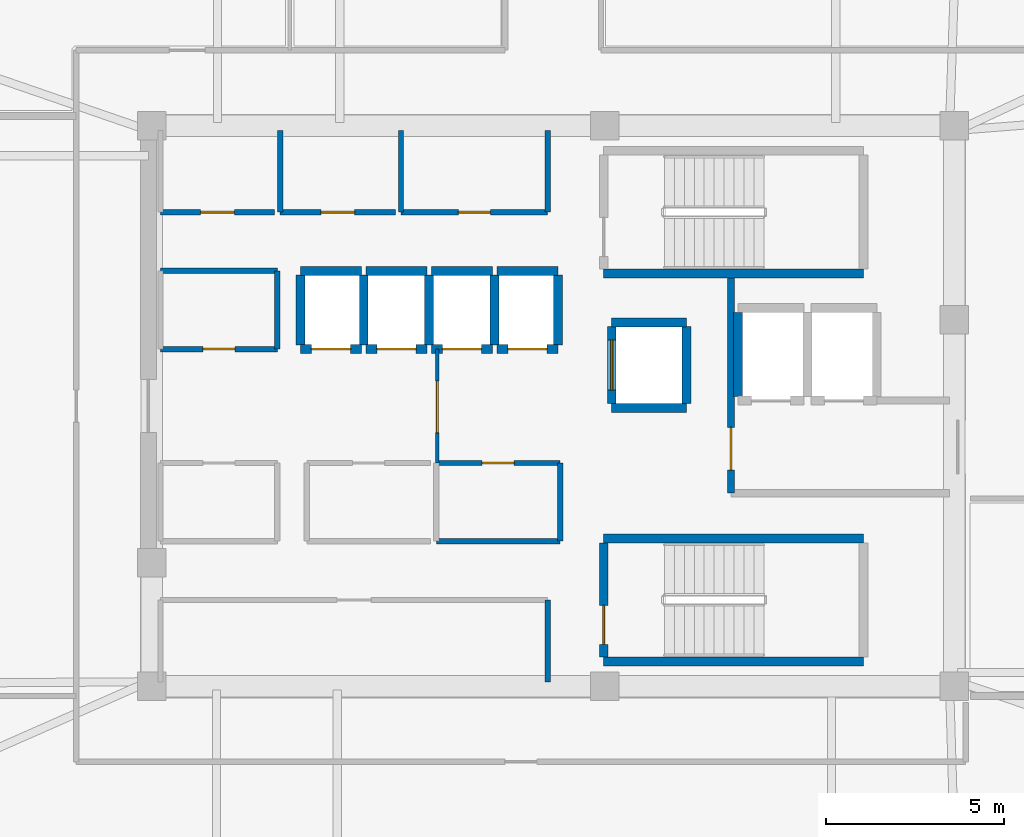
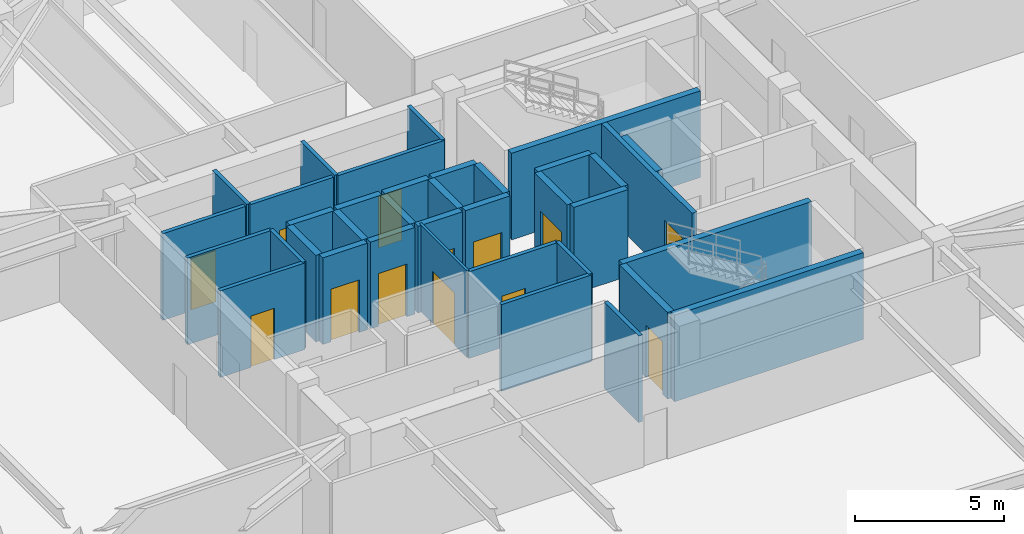
# One storey, part 8 of 13: 37 walls, 13 doors, 13 openings.
"""IFC4 building model written with IfcOpenShell, lengths in metres."""

from ifc_helpers import new_model, si_unit, direction, frame, frame_2d, origin, place, context, subcontext, project, spatial, rectangle, extrude, material, layer, layer_set, type_object, element, fill, save


model = new_model("IFC4")

# Units and contexts
model_context = context("Model", 3, precision=1e-05, world=origin(), true_north=direction((0.0, 1.0)))
body_context = subcontext(model_context, "Body", "Model", "MODEL_VIEW")
ifc_project = project(units=[si_unit("LENGTHUNIT", "METRE"), si_unit("AREAUNIT", "SQUARE_METRE"), si_unit("VOLUMEUNIT", "CUBIC_METRE"), si_unit("PLANEANGLEUNIT", "RADIAN"), si_unit("MASSUNIT", "GRAM", prefix="KILO")], contexts=[model_context])

# Site, building, storey
site_placement = place(None, origin())
site = spatial("IfcSite", under=ifc_project, at=site_placement, CompositionType="ELEMENT")
building_placement = place(site_placement, origin())
building = spatial("IfcBuilding", under=site, at=building_placement, Name="Zulverin Broadcast Headquarters", CompositionType="ELEMENT")
storey_placement = place(building_placement, frame((0.0, 0.0, 278.199951171875)))
storey = spatial("IfcBuildingStorey", under=building, at=storey_placement, Name="L71", CompositionType="ELEMENT", Elevation=278.199951171875)

# Wall, opening, door
ifc_material_1 = material(Name="Concrete C40/50", Category="concrete")
ifc_layer_1 = layer(ifc_material_1, 0.199951171875, Name="Concrete C40/50", Category="concrete")
ifc_layer_set_1 = layer_set([ifc_layer_1], Name="Concrete C40/50")
wall_type_1 = type_object("IfcWallType", Name="WL-FFL-200", PredefinedType="SOLIDWALL", material=ifc_layer_set_1)
wall_1_placement = place(storey_placement, frame((42.0, 22.75, 0.0), z_axis=(0.0, 0.0, 1.0), x_axis=(0.0, 1.0, 0.0)))
wall_1 = element("IfcWall", 1, at=wall_1_placement, inside=storey, type_object=wall_type_1, Name="L71 Firefighting Lift Lobby West Wall", PredefinedType="SOLIDWALL", context=body_context, shape_type="SweptSolid", body=[
    extrude(rectangle(XDim=6.050048828125, YDim=0.199951171875, at=frame_2d((3.02490234375, 0.0))), origin(), (0.0, 0.0, 1.0), 3.5400390625),
])
opening_1_placement = place(wall_1_placement, frame((0.64990234375, 0.0, 0.0)))
opening_1 = element("IfcOpeningElement", 2, at=opening_1_placement, cuts=wall_1, Name="Opening D-L71-FFLW", PredefinedType="OPENING", context=body_context, shape_type="SweptSolid", body=[
    extrude(rectangle(XDim=1.199951171875, YDim=2.14990234375, at=frame_2d((0.60009765625, 1.074951171875))), frame((0.0, 0.10986328125, 0.0), z_axis=(0.0, -1.0, 0.0), x_axis=(1.0, 0.0, 0.0)), (0.0, 0.0, 1.0), 0.219970703125),
])
ifc_material_2 = material(Name="Fire-rated steel leaf and frame", Category="steel")
door_type_1 = type_object("IfcDoorType", Name="DR-FFL-1200", OperationType="SINGLE_SWING_RIGHT", PredefinedType="DOOR", material=ifc_material_2)
door_1_placement = place(opening_1_placement, origin())
door_1 = element("IfcDoor", 3, at=door_1_placement, inside=storey, type_object=door_type_1, Name="L71 Firefighting Lift Lobby Door", OperationType="SINGLE_SWING_RIGHT", OverallHeight=2.14990234375, OverallWidth=1.199951171875, PredefinedType="DOOR", context=body_context, shape_type="SweptSolid", body=[
    extrude(rectangle(XDim=1.199951171875, YDim=2.14990234375, at=frame_2d((0.60009765625, 1.074951171875))), frame((0.0, 0.02490234375, 0.0), z_axis=(0.0, -1.0, 0.0), x_axis=(1.0, 0.0, 0.0)), (0.0, 0.0, 1.0), 0.050048828125),
])
fill(opening_1, door_1)

ifc_material_3 = material(Name="Fire-rated acoustic laminated glass screen", Category="glass")
ifc_layer_2 = layer(ifc_material_3, 0.10009765625, Name="Fire-rated acoustic laminated glass screen", Category="glass")
ifc_layer_set_2 = layer_set([ifc_layer_2], Name="Fire-rated acoustic laminated glass screen")
wall_type_2 = type_object("IfcWallType", Name="WL-GLAZ-100", PredefinedType="PARTITIONING", material=ifc_layer_set_2)
wall_2_placement = place(storey_placement, frame((33.75, 23.60009765625, 0.0), z_axis=(0.0, 0.0, 1.0), x_axis=(0.0, 1.0, 0.0)))
wall_2 = element("IfcWall", 4, at=wall_2_placement, inside=storey, type_object=wall_type_2, Name="L71 Core Lobby Acoustic Screen", PredefinedType="PARTITIONING", context=body_context, shape_type="SweptSolid", body=[
    extrude(rectangle(XDim=3.199951171875, YDim=0.10009765625, at=frame_2d((1.60009765625, 0.0))), origin(), (0.0, 0.0, 1.0), 3.5400390625),
])
opening_2_placement = place(wall_2_placement, frame((0.85009765625, 0.0, 0.0)))
opening_2 = element("IfcOpeningElement", 5, at=opening_2_placement, cuts=wall_2, Name="Opening D-L71-CL1", PredefinedType="OPENING", context=body_context, shape_type="SweptSolid", body=[
    extrude(rectangle(XDim=1.449951171875, YDim=2.1201171875, at=frame_2d((0.72509765625, 1.06005859375))), frame((0.0, 0.06005859375, 0.0), z_axis=(0.0, -1.0, 0.0), x_axis=(1.0, 0.0, 0.0)), (0.0, 0.0, 1.0), 0.1201171875),
])
ifc_material_4 = material(Name="Fire-rated acoustic glazed double leaf", Category="glass")
door_type_2 = type_object("IfcDoorType", Name="DR-GLZ-1450", OperationType="DOUBLE_DOOR_SINGLE_SWING", PredefinedType="DOOR", material=ifc_material_4)
door_2_placement = place(opening_2_placement, origin())
door_2 = element("IfcDoor", 6, at=door_2_placement, inside=storey, type_object=door_type_2, Name="L71 Core Lobby Vestibule Door", OperationType="DOUBLE_DOOR_SINGLE_SWING", OverallHeight=2.1201171875, OverallWidth=1.449951171875, PredefinedType="DOOR", context=body_context, shape_type="SweptSolid", body=[
    extrude(rectangle(XDim=1.449951171875, YDim=2.1201171875, at=frame_2d((0.72509765625, 1.06005859375))), frame((0.0, 0.02490234375, 0.0), z_axis=(0.0, -1.0, 0.0), x_axis=(1.0, 0.0, 0.0)), (0.0, 0.0, 1.0), 0.050048828125),
])
fill(opening_2, door_2)

ifc_material_5 = material(Name="Fire-rated gypsum stud partition", Category="gypsum")
ifc_layer_3 = layer(ifc_material_5, 0.14990234375, Name="Fire-rated gypsum stud partition", Category="gypsum")
ifc_layer_set_3 = layer_set([ifc_layer_3], Name="Fire-rated gypsum stud partition")
wall_type_3 = type_object("IfcWallType", Name="WL-PART-150", PredefinedType="PARTITIONING", material=ifc_layer_set_3)
wall_3_placement = place(storey_placement, frame((25.969970703125, 30.64990234375, 0.0), z_axis=(0.0, 0.0, 1.0), x_axis=(1.0, 0.0, 0.0)))
wall_3 = element("IfcWall", 7, at=wall_3_placement, inside=storey, type_object=wall_type_3, Name="L71 Core Accessible WC Front Wall", PredefinedType="PARTITIONING", context=body_context, shape_type="SweptSolid", body=[
    extrude(rectangle(XDim=3.199951171875, YDim=0.14990234375, at=frame_2d((1.60009765625, 0.0))), origin(), (0.0, 0.0, 1.0), 3.5400390625),
])
opening_3_placement = place(wall_3_placement, frame((1.125, 0.0, 0.0)))
opening_3 = element("IfcOpeningElement", 8, at=opening_3_placement, cuts=wall_3, Name="Opening D-L71-NC1", PredefinedType="OPENING", context=body_context, shape_type="SweptSolid", body=[
    extrude(rectangle(XDim=0.949951171875, YDim=2.10009765625, at=frame_2d((0.47509765625, 1.050048828125))), frame((0.0, 0.0849609375, 0.0), z_axis=(0.0, -1.0, 0.0), x_axis=(1.0, 0.0, 0.0)), (0.0, 0.0, 1.0), 0.169921875),
])
ifc_material_6 = material(Name="Fire-rated moisture-resistant laminate leaf", Category="wood")
door_type_3 = type_object("IfcDoorType", Name="DR-WC-950", OperationType="SINGLE_SWING_LEFT", PredefinedType="DOOR", material=ifc_material_6)
door_3_placement = place(opening_3_placement, origin())
door_3 = element("IfcDoor", 9, at=door_3_placement, inside=storey, type_object=door_type_3, Name="L71 Accessible WC Door", OperationType="SINGLE_SWING_LEFT", OverallHeight=2.10009765625, OverallWidth=0.949951171875, PredefinedType="DOOR", context=body_context, shape_type="SweptSolid", body=[
    extrude(rectangle(XDim=0.949951171875, YDim=2.10009765625, at=frame_2d((0.47509765625, 1.050048828125))), frame((0.0, 0.02490234375, 0.0), z_axis=(0.0, -1.0, 0.0), x_axis=(1.0, 0.0, 0.0)), (0.0, 0.0, 1.0), 0.050048828125),
])
fill(opening_3, door_3)

wall_4_placement = place(storey_placement, frame((29.330078125, 30.64990234375, 0.0), z_axis=(0.0, 0.0, 1.0), x_axis=(1.0, 0.0, 0.0)))
wall_4 = element("IfcWall", 10, at=wall_4_placement, inside=storey, type_object=wall_type_3, Name="L71 Core Male WC Front Wall", PredefinedType="PARTITIONING", context=body_context, shape_type="SweptSolid", body=[
    extrude(rectangle(XDim=3.239990234375, YDim=0.14990234375, at=frame_2d((1.6201171875, 0.0))), origin(), (0.0, 0.0, 1.0), 3.5400390625),
])
opening_4_placement = place(wall_4_placement, frame((1.14501953125, 0.0, 0.0)))
opening_4 = element("IfcOpeningElement", 11, at=opening_4_placement, cuts=wall_4, Name="Opening D-L71-NC2", PredefinedType="OPENING", context=body_context, shape_type="SweptSolid", body=[
    extrude(rectangle(XDim=0.949951171875, YDim=2.10009765625, at=frame_2d((0.47509765625, 1.050048828125))), frame((0.0, 0.0849609375, 0.0), z_axis=(0.0, -1.0, 0.0), x_axis=(1.0, 0.0, 0.0)), (0.0, 0.0, 1.0), 0.169921875),
])
door_4_placement = place(opening_4_placement, origin())
door_4 = element("IfcDoor", 12, at=door_4_placement, inside=storey, type_object=door_type_3, Name="L71 Male WC Door", OperationType="SINGLE_SWING_RIGHT", OverallHeight=2.10009765625, OverallWidth=0.949951171875, PredefinedType="DOOR", context=body_context, shape_type="SweptSolid", body=[
    extrude(rectangle(XDim=0.949951171875, YDim=2.10009765625, at=frame_2d((0.47509765625, 1.050048828125))), frame((0.0, 0.02490234375, 0.0), z_axis=(0.0, -1.0, 0.0), x_axis=(1.0, 0.0, 0.0)), (0.0, 0.0, 1.0), 0.050048828125),
])
fill(opening_4, door_4)

# Wall
wall_5_placement = place(storey_placement, frame((29.330078125, 30.64990234375, 0.0), z_axis=(0.0, 0.0, 1.0), x_axis=(0.0, 1.0, 0.0)))
element("IfcWall", 13, at=wall_5_placement, inside=storey, type_object=wall_type_3, Name="L71 Core Male WC West Wall", PredefinedType="PARTITIONING", context=body_context, shape_type="SweptSolid", body=[
    extrude(rectangle(XDim=2.300048828125, YDim=0.14990234375, at=frame_2d((1.14990234375, 0.0))), origin(), (0.0, 0.0, 1.0), 3.5400390625),
])

# Wall, opening, door
wall_6_placement = place(storey_placement, frame((32.72998046875, 30.64990234375, 0.0), z_axis=(0.0, 0.0, 1.0), x_axis=(1.0, 0.0, 0.0)))
wall_6 = element("IfcWall", 14, at=wall_6_placement, inside=storey, type_object=wall_type_3, Name="L71 Core Electrical Switch Riser Front Wall", PredefinedType="PARTITIONING", context=body_context, shape_type="SweptSolid", body=[
    extrude(rectangle(XDim=4.1201171875, YDim=0.14990234375, at=frame_2d((2.06005859375, 0.0))), origin(), (0.0, 0.0, 1.0), 3.5400390625),
])
opening_5_placement = place(wall_6_placement, frame((1.610107421875, 0.0, 0.0)))
opening_5 = element("IfcOpeningElement", 15, at=opening_5_placement, cuts=wall_6, Name="Opening D-L71-NC3", PredefinedType="OPENING", context=body_context, shape_type="SweptSolid", body=[
    extrude(rectangle(XDim=0.89990234375, YDim=2.10009765625, at=frame_2d((0.449951171875, 1.050048828125))), frame((0.0, 0.0849609375, 0.0), z_axis=(0.0, -1.0, 0.0), x_axis=(1.0, 0.0, 0.0)), (0.0, 0.0, 1.0), 0.169921875),
])
ifc_material_7 = material(Name="Powder-coated steel access leaf", Category="steel")
door_type_4 = type_object("IfcDoorType", Name="DR-RISER-900", OperationType="SINGLE_SWING_LEFT", PredefinedType="DOOR", material=ifc_material_7)
door_5_placement = place(opening_5_placement, origin())
door_5 = element("IfcDoor", 16, at=door_5_placement, inside=storey, type_object=door_type_4, Name="L71 Electrical Switch Riser Door", OperationType="SINGLE_SWING_LEFT", OverallHeight=2.10009765625, OverallWidth=0.89990234375, PredefinedType="DOOR", context=body_context, shape_type="SweptSolid", body=[
    extrude(rectangle(XDim=0.89990234375, YDim=2.10009765625, at=frame_2d((0.449951171875, 1.050048828125))), frame((0.0, 0.02490234375, 0.0), z_axis=(0.0, -1.0, 0.0), x_axis=(1.0, 0.0, 0.0)), (0.0, 0.0, 1.0), 0.050048828125),
])
fill(opening_5, door_5)

# Walls
for number, where, z_axis, x_axis, name in (
    (17, (32.72998046875, 30.64990234375, 0.0), (0.0, 0.0, 1.0), (0.0, 1.0, 0.0), "L71 Core Electrical Switch Riser West Wall"),
    (18, (36.85009765625, 30.64990234375, 0.0), (0.0, 0.0, 1.0), (0.0, 1.0, 0.0), "L71 Core Electrical Switch Riser East Wall"),
    (19, (36.85009765625, 17.449951171875, 0.0), (0.0, 0.0, 1.0), (0.0, 1.0, 0.0), "L71 Core Female WC & Facilities Room East Wall"),
):
    element("IfcWall", number, at=place(storey_placement, frame(where, z_axis=z_axis, x_axis=x_axis)), inside=storey, type_object=wall_type_3, Name=name, PredefinedType="PARTITIONING", context=body_context, shape_type="SweptSolid", body=[
        extrude(rectangle(XDim=2.300048828125, YDim=0.14990234375, at=frame_2d((1.14990234375, 0.0))), origin(), (0.0, 0.0, 1.0), 3.5400390625),
    ])

# Wall, opening, door
wall_7_placement = place(storey_placement, frame((25.969970703125, 26.800048828125, 0.0), z_axis=(0.0, 0.0, 1.0), x_axis=(1.0, 0.0, 0.0)))
wall_7 = element("IfcWall", 20, at=wall_7_placement, inside=storey, type_object=wall_type_3, Name="L71 Core UPS Battery Store S Wall", PredefinedType="PARTITIONING", context=body_context, shape_type="SweptSolid", body=[
    extrude(rectangle(XDim=3.280029296875, YDim=0.14990234375, at=frame_2d((1.64013671875, 0.0))), origin(), (0.0, 0.0, 1.0), 3.5400390625),
])
opening_6_placement = place(wall_7_placement, frame((1.18994140625, 0.0, 0.0)))
opening_6 = element("IfcOpeningElement", 21, at=opening_6_placement, cuts=wall_7, Name="Opening D-L71-RCLN", PredefinedType="OPENING", context=body_context, shape_type="SweptSolid", body=[
    extrude(rectangle(XDim=0.89990234375, YDim=2.10009765625, at=frame_2d((0.449951171875, 1.050048828125))), frame((0.0, 0.0849609375, 0.0), z_axis=(0.0, -1.0, 0.0), x_axis=(1.0, 0.0, 0.0)), (0.0, 0.0, 1.0), 0.169921875),
])
door_6_placement = place(opening_6_placement, origin())
door_6 = element("IfcDoor", 22, at=door_6_placement, inside=storey, type_object=door_type_4, Name="L71 Core UPS Battery Store Door", OperationType="SINGLE_SWING_LEFT", OverallHeight=2.10009765625, OverallWidth=0.89990234375, PredefinedType="DOOR", context=body_context, shape_type="SweptSolid", body=[
    extrude(rectangle(XDim=0.89990234375, YDim=2.10009765625, at=frame_2d((0.449951171875, 1.050048828125))), frame((0.0, 0.02490234375, 0.0), z_axis=(0.0, -1.0, 0.0), x_axis=(1.0, 0.0, 0.0)), (0.0, 0.0, 1.0), 0.050048828125),
])
fill(opening_6, door_6)

# Walls
wall_8_placement = place(storey_placement, frame((25.969970703125, 29.0, 0.0), z_axis=(0.0, 0.0, 1.0), x_axis=(1.0, 0.0, 0.0)))
element("IfcWall", 23, at=wall_8_placement, inside=storey, type_object=wall_type_3, Name="L71 Core UPS Battery Store N Wall", PredefinedType="PARTITIONING", context=body_context, shape_type="SweptSolid", body=[
    extrude(rectangle(XDim=3.280029296875, YDim=0.14990234375, at=frame_2d((1.64013671875, 0.0))), origin(), (0.0, 0.0, 1.0), 3.5400390625),
])
wall_9_placement = place(storey_placement, frame((29.25, 26.800048828125, 0.0), z_axis=(0.0, 0.0, 1.0), x_axis=(0.0, 1.0, 0.0)))
element("IfcWall", 24, at=wall_9_placement, inside=storey, type_object=wall_type_3, Name="L71 Core UPS Battery Store E Wall", PredefinedType="PARTITIONING", context=body_context, shape_type="SweptSolid", body=[
    extrude(rectangle(XDim=2.199951171875, YDim=0.14990234375, at=frame_2d((1.10009765625, 0.0))), origin(), (0.0, 0.0, 1.0), 3.5400390625),
])
wall_10_placement = place(storey_placement, frame((33.719970703125, 21.39990234375, 0.0), z_axis=(0.0, 0.0, 1.0), x_axis=(1.0, 0.0, 0.0)))
element("IfcWall", 25, at=wall_10_placement, inside=storey, type_object=wall_type_3, Name="L71 Executive Floor Pantry Store S Wall", PredefinedType="PARTITIONING", context=body_context, shape_type="SweptSolid", body=[
    extrude(rectangle(XDim=3.47998046875, YDim=0.14990234375, at=frame_2d((1.739990234375, 0.0))), origin(), (0.0, 0.0, 1.0), 3.5400390625),
])

# Wall, opening, door
wall_11_placement = place(storey_placement, frame((33.719970703125, 23.60009765625, 0.0), z_axis=(0.0, 0.0, 1.0), x_axis=(1.0, 0.0, 0.0)))
wall_11 = element("IfcWall", 26, at=wall_11_placement, inside=storey, type_object=wall_type_3, Name="L71 Executive Floor Pantry Store N Wall", PredefinedType="PARTITIONING", context=body_context, shape_type="SweptSolid", body=[
    extrude(rectangle(XDim=3.47998046875, YDim=0.14990234375, at=frame_2d((1.739990234375, 0.0))), origin(), (0.0, 0.0, 1.0), 3.5400390625),
])
opening_7_placement = place(wall_11_placement, frame((1.2900390625, 0.0, 0.0)))
opening_7 = element("IfcOpeningElement", 27, at=opening_7_placement, cuts=wall_11, Name="Opening D-L71-RM2", PredefinedType="OPENING", context=body_context, shape_type="SweptSolid", body=[
    extrude(rectangle(XDim=0.89990234375, YDim=2.10009765625, at=frame_2d((0.449951171875, 1.050048828125))), frame((0.0, 0.0849609375, 0.0), z_axis=(0.0, -1.0, 0.0), x_axis=(1.0, 0.0, 0.0)), (0.0, 0.0, 1.0), 0.169921875),
])
door_7_placement = place(opening_7_placement, origin())
door_7 = element("IfcDoor", 28, at=door_7_placement, inside=storey, type_object=door_type_4, Name="L71 Executive Floor Pantry Store Door", OperationType="SINGLE_SWING_RIGHT", OverallHeight=2.10009765625, OverallWidth=0.89990234375, PredefinedType="DOOR", context=body_context, shape_type="SweptSolid", body=[
    extrude(rectangle(XDim=0.89990234375, YDim=2.10009765625, at=frame_2d((0.449951171875, 1.050048828125))), frame((0.0, 0.02490234375, 0.0), z_axis=(0.0, -1.0, 0.0), x_axis=(1.0, 0.0, 0.0)), (0.0, 0.0, 1.0), 0.050048828125),
])
fill(opening_7, door_7)

# Walls
wall_12_placement = place(storey_placement, frame((37.199951171875, 21.39990234375, 0.0), z_axis=(0.0, 0.0, 1.0), x_axis=(0.0, 1.0, 0.0)))
element("IfcWall", 29, at=wall_12_placement, inside=storey, type_object=wall_type_3, Name="L71 Executive Floor Pantry Store E Wall", PredefinedType="PARTITIONING", context=body_context, shape_type="SweptSolid", body=[
    extrude(rectangle(XDim=2.2001953125, YDim=0.14990234375, at=frame_2d((1.10009765625, 0.0))), origin(), (0.0, 0.0, 1.0), 3.5400390625),
])
ifc_material_8 = material(Name="Concrete C50/60", Category="concrete")
ifc_layer_4 = layer(ifc_material_8, 0.25, Name="Concrete C50/60", Category="concrete")
ifc_layer_set_4 = layer_set([ifc_layer_4], Name="Concrete C50/60")
wall_type_4 = type_object("IfcWallType", Name="WL-SHAFT-250", PredefinedType="SHEAR", material=ifc_layer_set_4)
for number, where, z_axis, x_axis, name in (
    (30, (38.425048828125, 28.925048828125, 0.0), (0.0, 0.0, 1.0), (1.0, 0.0, 0.0), "L71 ST-1 Enclosure Wall S"),
    (31, (38.425048828125, 18.02490234375, 0.0), (0.0, 0.0, 1.0), (1.0, 0.0, 0.0), "L71 ST-2 Enclosure Wall S"),
    (32, (38.425048828125, 21.47509765625, 0.0), (0.0, 0.0, 1.0), (1.0, 0.0, 0.0), "L71 ST-2 Enclosure Wall N"),
):
    element("IfcWall", number, at=place(storey_placement, frame(where, z_axis=z_axis, x_axis=x_axis)), inside=storey, type_object=wall_type_4, Name=name, PredefinedType="SHEAR", context=body_context, shape_type="SweptSolid", body=[
        extrude(rectangle(XDim=7.300048828125, YDim=0.25, at=frame_2d((3.64990234375, 0.0))), origin(), (0.0, 0.0, 1.0), 3.5400390625),
    ])

# Wall, opening, door
wall_13_placement = place(storey_placement, frame((38.425048828125, 18.14990234375, 0.0), z_axis=(0.0, 0.0, 1.0), x_axis=(0.0, 1.0, 0.0)))
wall_13 = element("IfcWall", 33, at=wall_13_placement, inside=storey, type_object=wall_type_4, Name="L71 ST-2 Enclosure Wall W", PredefinedType="SHEAR", context=body_context, shape_type="SweptSolid", body=[
    extrude(rectangle(XDim=3.2001953125, YDim=0.25, at=frame_2d((1.60009765625, 0.0))), origin(), (0.0, 0.0, 1.0), 3.5400390625),
])
opening_8_placement = place(wall_13_placement, frame((0.35009765625, 0.0, 0.0)))
opening_8 = element("IfcOpeningElement", 34, at=opening_8_placement, cuts=wall_13, Name="Opening D-L71-ST-2", PredefinedType="OPENING", context=body_context, shape_type="SweptSolid", body=[
    extrude(rectangle(XDim=1.10009765625, YDim=2.14990234375, at=frame_2d((0.550048828125, 1.074951171875))), frame((0.0, 0.135009765625, 0.0), z_axis=(0.0, -1.0, 0.0), x_axis=(1.0, 0.0, 0.0)), (0.0, 0.0, 1.0), 0.27001953125),
])
door_type_5 = type_object("IfcDoorType", Name="DR-STAIR-1100", OperationType="SINGLE_SWING_LEFT", PredefinedType="DOOR", material=ifc_material_2)
door_8_placement = place(opening_8_placement, origin())
door_8 = element("IfcDoor", 35, at=door_8_placement, inside=storey, type_object=door_type_5, Name="L71 Exit Stair ST-2 Fire Door", OperationType="SINGLE_SWING_RIGHT", OverallHeight=2.14990234375, OverallWidth=1.10009765625, PredefinedType="DOOR", context=body_context, shape_type="SweptSolid", body=[
    extrude(rectangle(XDim=1.10009765625, YDim=2.14990234375, at=frame_2d((0.550048828125, 1.074951171875))), frame((0.0, 0.02490234375, 0.0), z_axis=(0.0, -1.0, 0.0), x_axis=(1.0, 0.0, 0.0)), (0.0, 0.0, 1.0), 0.050048828125),
])
fill(opening_8, door_8)

wall_14_placement = place(storey_placement, frame((29.89990234375, 26.800048828125, 0.0), z_axis=(0.0, 0.0, 1.0), x_axis=(1.0, 0.0, 0.0)))
wall_14 = element("IfcWall", 36, at=wall_14_placement, inside=storey, type_object=wall_type_4, Name="L71 Lift PL-H1 Shaft Wall S", PredefinedType="SHEAR", context=body_context, shape_type="SweptSolid", body=[
    extrude(rectangle(XDim=1.72021484375, YDim=0.25, at=frame_2d((0.860107421875, 0.0))), origin(), (0.0, 0.0, 1.0), 3.5400390625),
])
opening_9_placement = place(wall_14_placement, frame((0.31005859375, 0.0, 0.0)))
opening_9 = element("IfcOpeningElement", 37, at=opening_9_placement, cuts=wall_14, Name="Opening LD-PL-H1-L71", PredefinedType="OPENING", context=body_context, shape_type="SweptSolid", body=[
    extrude(rectangle(XDim=1.10009765625, YDim=2.14990234375, at=frame_2d((0.550048828125, 1.074951171875))), frame((0.0, 0.135009765625, 0.0), z_axis=(0.0, -1.0, 0.0), x_axis=(1.0, 0.0, 0.0)), (0.0, 0.0, 1.0), 0.27001953125),
])
ifc_material_9 = material(Name="Brushed stainless steel landing", Category="steel")
door_type_6 = type_object("IfcDoorType", Name="LD-PASS-1100", OperationType="DOUBLE_DOOR_SLIDING", PredefinedType="DOOR", material=ifc_material_9)
door_9_placement = place(opening_9_placement, origin())
door_9 = element("IfcDoor", 38, at=door_9_placement, inside=storey, type_object=door_type_6, Name="L71 Lift PL-H1 Sliding Landing Door", OperationType="DOUBLE_DOOR_SLIDING", OverallHeight=2.14990234375, OverallWidth=1.10009765625, PredefinedType="DOOR", context=body_context, shape_type="SweptSolid", body=[
    extrude(rectangle(XDim=1.10009765625, YDim=2.14990234375, at=frame_2d((0.550048828125, 1.074951171875))), frame((0.0, 0.02490234375, 0.0), z_axis=(0.0, -1.0, 0.0), x_axis=(1.0, 0.0, 0.0)), (0.0, 0.0, 1.0), 0.050048828125),
])
fill(opening_9, door_9)

# Walls
wall_15_placement = place(storey_placement, frame((29.89990234375, 29.0, 0.0), z_axis=(0.0, 0.0, 1.0), x_axis=(1.0, 0.0, 0.0)))
element("IfcWall", 39, at=wall_15_placement, inside=storey, type_object=wall_type_4, Name="L71 Lift PL-H1 Shaft Wall N", PredefinedType="SHEAR", context=body_context, shape_type="SweptSolid", body=[
    extrude(rectangle(XDim=1.72021484375, YDim=0.25, at=frame_2d((0.860107421875, 0.0))), origin(), (0.0, 0.0, 1.0), 3.5400390625),
])
for number, where, z_axis, x_axis, name in (
    (40, (29.89990234375, 26.919921875, 0.0), (0.0, 0.0, 1.0), (0.0, 1.0, 0.0), "L71 Lift PL-H1 Shaft Wall W"),
    (41, (31.679931640625, 26.919921875, 0.0), (0.0, 0.0, 1.0), (0.0, 1.0, 0.0), "L71 Lift PL-H1 Shaft Wall E"),
):
    element("IfcWall", number, at=place(storey_placement, frame(where, z_axis=z_axis, x_axis=x_axis)), inside=storey, type_object=wall_type_4, Name=name, PredefinedType="SHEAR", context=body_context, shape_type="SweptSolid", body=[
        extrude(rectangle(XDim=1.9599609375, YDim=0.25, at=frame_2d((0.97998046875, 0.0))), origin(), (0.0, 0.0, 1.0), 3.5400390625),
    ])

# Wall, opening, door
wall_16_placement = place(storey_placement, frame((31.739990234375, 26.800048828125, 0.0), z_axis=(0.0, 0.0, 1.0), x_axis=(1.0, 0.0, 0.0)))
wall_16 = element("IfcWall", 42, at=wall_16_placement, inside=storey, type_object=wall_type_4, Name="L71 Lift PL-H2 Shaft Wall S", PredefinedType="SHEAR", context=body_context, shape_type="SweptSolid", body=[
    extrude(rectangle(XDim=1.719970703125, YDim=0.25, at=frame_2d((0.85986328125, 0.0))), origin(), (0.0, 0.0, 1.0), 3.5400390625),
])
opening_10_placement = place(wall_16_placement, frame((0.31005859375, 0.0, 0.0)))
opening_10 = element("IfcOpeningElement", 43, at=opening_10_placement, cuts=wall_16, Name="Opening LD-PL-H2-L71", PredefinedType="OPENING", context=body_context, shape_type="SweptSolid", body=[
    extrude(rectangle(XDim=1.10009765625, YDim=2.14990234375, at=frame_2d((0.550048828125, 1.074951171875))), frame((0.0, 0.135009765625, 0.0), z_axis=(0.0, -1.0, 0.0), x_axis=(1.0, 0.0, 0.0)), (0.0, 0.0, 1.0), 0.27001953125),
])
door_10_placement = place(opening_10_placement, origin())
door_10 = element("IfcDoor", 44, at=door_10_placement, inside=storey, type_object=door_type_6, Name="L71 Lift PL-H2 Sliding Landing Door", OperationType="DOUBLE_DOOR_SLIDING", OverallHeight=2.14990234375, OverallWidth=1.10009765625, PredefinedType="DOOR", context=body_context, shape_type="SweptSolid", body=[
    extrude(rectangle(XDim=1.10009765625, YDim=2.14990234375, at=frame_2d((0.550048828125, 1.074951171875))), frame((0.0, 0.02490234375, 0.0), z_axis=(0.0, -1.0, 0.0), x_axis=(1.0, 0.0, 0.0)), (0.0, 0.0, 1.0), 0.050048828125),
])
fill(opening_10, door_10)

# Walls
wall_17_placement = place(storey_placement, frame((31.739990234375, 29.0, 0.0), z_axis=(0.0, 0.0, 1.0), x_axis=(1.0, 0.0, 0.0)))
element("IfcWall", 45, at=wall_17_placement, inside=storey, type_object=wall_type_4, Name="L71 Lift PL-H2 Shaft Wall N", PredefinedType="SHEAR", context=body_context, shape_type="SweptSolid", body=[
    extrude(rectangle(XDim=1.719970703125, YDim=0.25, at=frame_2d((0.85986328125, 0.0))), origin(), (0.0, 0.0, 1.0), 3.5400390625),
])
wall_18_placement = place(storey_placement, frame((33.52001953125, 26.919921875, 0.0), z_axis=(0.0, 0.0, 1.0), x_axis=(0.0, 1.0, 0.0)))
element("IfcWall", 46, at=wall_18_placement, inside=storey, type_object=wall_type_4, Name="L71 Lift PL-H2 Shaft Wall E", PredefinedType="SHEAR", context=body_context, shape_type="SweptSolid", body=[
    extrude(rectangle(XDim=1.9599609375, YDim=0.25, at=frame_2d((0.97998046875, 0.0))), origin(), (0.0, 0.0, 1.0), 3.5400390625),
])

# Wall, opening, door
wall_19_placement = place(storey_placement, frame((33.580078125, 26.800048828125, 0.0), z_axis=(0.0, 0.0, 1.0), x_axis=(1.0, 0.0, 0.0)))
wall_19 = element("IfcWall", 47, at=wall_19_placement, inside=storey, type_object=wall_type_4, Name="L71 Lift PL-H3 Shaft Wall S", PredefinedType="SHEAR", context=body_context, shape_type="SweptSolid", body=[
    extrude(rectangle(XDim=1.719970703125, YDim=0.25, at=frame_2d((0.85986328125, 0.0))), origin(), (0.0, 0.0, 1.0), 3.5400390625),
])
opening_11_placement = place(wall_19_placement, frame((0.31005859375, 0.0, 0.0)))
opening_11 = element("IfcOpeningElement", 48, at=opening_11_placement, cuts=wall_19, Name="Opening LD-PL-H3-L71", PredefinedType="OPENING", context=body_context, shape_type="SweptSolid", body=[
    extrude(rectangle(XDim=1.10009765625, YDim=2.14990234375, at=frame_2d((0.550048828125, 1.074951171875))), frame((0.0, 0.135009765625, 0.0), z_axis=(0.0, -1.0, 0.0), x_axis=(1.0, 0.0, 0.0)), (0.0, 0.0, 1.0), 0.27001953125),
])
door_11_placement = place(opening_11_placement, origin())
door_11 = element("IfcDoor", 49, at=door_11_placement, inside=storey, type_object=door_type_6, Name="L71 Lift PL-H3 Sliding Landing Door", OperationType="DOUBLE_DOOR_SLIDING", OverallHeight=2.14990234375, OverallWidth=1.10009765625, PredefinedType="DOOR", context=body_context, shape_type="SweptSolid", body=[
    extrude(rectangle(XDim=1.10009765625, YDim=2.14990234375, at=frame_2d((0.550048828125, 1.074951171875))), frame((0.0, 0.02490234375, 0.0), z_axis=(0.0, -1.0, 0.0), x_axis=(1.0, 0.0, 0.0)), (0.0, 0.0, 1.0), 0.050048828125),
])
fill(opening_11, door_11)

# Walls
wall_20_placement = place(storey_placement, frame((33.580078125, 29.0, 0.0), z_axis=(0.0, 0.0, 1.0), x_axis=(1.0, 0.0, 0.0)))
element("IfcWall", 50, at=wall_20_placement, inside=storey, type_object=wall_type_4, Name="L71 Lift PL-H3 Shaft Wall N", PredefinedType="SHEAR", context=body_context, shape_type="SweptSolid", body=[
    extrude(rectangle(XDim=1.719970703125, YDim=0.25, at=frame_2d((0.85986328125, 0.0))), origin(), (0.0, 0.0, 1.0), 3.5400390625),
])
wall_21_placement = place(storey_placement, frame((35.360107421875, 26.919921875, 0.0), z_axis=(0.0, 0.0, 1.0), x_axis=(0.0, 1.0, 0.0)))
element("IfcWall", 51, at=wall_21_placement, inside=storey, type_object=wall_type_4, Name="L71 Lift PL-H3 Shaft Wall E", PredefinedType="SHEAR", context=body_context, shape_type="SweptSolid", body=[
    extrude(rectangle(XDim=1.9599609375, YDim=0.25, at=frame_2d((0.97998046875, 0.0))), origin(), (0.0, 0.0, 1.0), 3.5400390625),
])

# Wall, opening, door
wall_22_placement = place(storey_placement, frame((35.419921875, 26.800048828125, 0.0), z_axis=(0.0, 0.0, 1.0), x_axis=(1.0, 0.0, 0.0)))
wall_22 = element("IfcWall", 52, at=wall_22_placement, inside=storey, type_object=wall_type_4, Name="L71 Lift PL-H4 Shaft Wall S", PredefinedType="SHEAR", context=body_context, shape_type="SweptSolid", body=[
    extrude(rectangle(XDim=1.719970703125, YDim=0.25, at=frame_2d((0.85986328125, 0.0))), origin(), (0.0, 0.0, 1.0), 3.5400390625),
])
opening_12_placement = place(wall_22_placement, frame((0.31005859375, 0.0, 0.0)))
opening_12 = element("IfcOpeningElement", 53, at=opening_12_placement, cuts=wall_22, Name="Opening LD-PL-H4-L71", PredefinedType="OPENING", context=body_context, shape_type="SweptSolid", body=[
    extrude(rectangle(XDim=1.10009765625, YDim=2.14990234375, at=frame_2d((0.550048828125, 1.074951171875))), frame((0.0, 0.135009765625, 0.0), z_axis=(0.0, -1.0, 0.0), x_axis=(1.0, 0.0, 0.0)), (0.0, 0.0, 1.0), 0.27001953125),
])
door_12_placement = place(opening_12_placement, origin())
door_12 = element("IfcDoor", 54, at=door_12_placement, inside=storey, type_object=door_type_6, Name="L71 Lift PL-H4 Sliding Landing Door", OperationType="DOUBLE_DOOR_SLIDING", OverallHeight=2.14990234375, OverallWidth=1.10009765625, PredefinedType="DOOR", context=body_context, shape_type="SweptSolid", body=[
    extrude(rectangle(XDim=1.10009765625, YDim=2.14990234375, at=frame_2d((0.550048828125, 1.074951171875))), frame((0.0, 0.02490234375, 0.0), z_axis=(0.0, -1.0, 0.0), x_axis=(1.0, 0.0, 0.0)), (0.0, 0.0, 1.0), 0.050048828125),
])
fill(opening_12, door_12)

# Walls
wall_23_placement = place(storey_placement, frame((35.419921875, 29.0, 0.0), z_axis=(0.0, 0.0, 1.0), x_axis=(1.0, 0.0, 0.0)))
element("IfcWall", 55, at=wall_23_placement, inside=storey, type_object=wall_type_4, Name="L71 Lift PL-H4 Shaft Wall N", PredefinedType="SHEAR", context=body_context, shape_type="SweptSolid", body=[
    extrude(rectangle(XDim=1.719970703125, YDim=0.25, at=frame_2d((0.85986328125, 0.0))), origin(), (0.0, 0.0, 1.0), 3.5400390625),
])
wall_24_placement = place(storey_placement, frame((37.139892578125, 26.919921875, 0.0), z_axis=(0.0, 0.0, 1.0), x_axis=(0.0, 1.0, 0.0)))
element("IfcWall", 56, at=wall_24_placement, inside=storey, type_object=wall_type_4, Name="L71 Lift PL-H4 Shaft Wall E", PredefinedType="SHEAR", context=body_context, shape_type="SweptSolid", body=[
    extrude(rectangle(XDim=1.9599609375, YDim=0.25, at=frame_2d((0.97998046875, 0.0))), origin(), (0.0, 0.0, 1.0), 3.5400390625),
])
wall_25_placement = place(storey_placement, frame((42.199951171875, 25.469970703125, 0.0), z_axis=(0.0, 0.0, 1.0), x_axis=(0.0, 1.0, 0.0)))
element("IfcWall", 57, at=wall_25_placement, inside=storey, type_object=wall_type_4, Name="L71 Lift FFL-1 Shaft Wall W", PredefinedType="SHEAR", context=body_context, shape_type="SweptSolid", body=[
    extrude(rectangle(XDim=2.360107421875, YDim=0.25, at=frame_2d((1.18017578125, 0.0))), origin(), (0.0, 0.0, 1.0), 3.5400390625),
])
for number, where, z_axis, x_axis, name in (
    (58, (38.64990234375, 25.14990234375, 0.0), (0.0, 0.0, 1.0), (1.0, 0.0, 0.0), "L71 Lift SVL-1 Shaft Wall S"),
    (59, (38.64990234375, 27.550048828125, 0.0), (0.0, 0.0, 1.0), (1.0, 0.0, 0.0), "L71 Lift SVL-1 Shaft Wall N"),
):
    element("IfcWall", number, at=place(storey_placement, frame(where, z_axis=z_axis, x_axis=x_axis)), inside=storey, type_object=wall_type_4, Name=name, PredefinedType="SHEAR", context=body_context, shape_type="SweptSolid", body=[
        extrude(rectangle(XDim=2.10009765625, YDim=0.25, at=frame_2d((1.050048828125, 0.0))), origin(), (0.0, 0.0, 1.0), 3.5400390625),
    ])

# Wall, opening, door
wall_26_placement = place(storey_placement, frame((38.64990234375, 25.27001953125, 0.0), z_axis=(0.0, 0.0, 1.0), x_axis=(0.0, 1.0, 0.0)))
wall_26 = element("IfcWall", 60, at=wall_26_placement, inside=storey, type_object=wall_type_4, Name="L71 Lift SVL-1 Shaft Wall W", PredefinedType="SHEAR", context=body_context, shape_type="SweptSolid", body=[
    extrude(rectangle(XDim=2.159912109375, YDim=0.25, at=frame_2d((1.080078125, 0.0))), origin(), (0.0, 0.0, 1.0), 3.5400390625),
])
opening_13_placement = place(wall_26_placement, frame((0.3798828125, 0.0, 0.0)))
opening_13 = element("IfcOpeningElement", 61, at=opening_13_placement, cuts=wall_26, Name="Opening LD-SVL-1-L71", PredefinedType="OPENING", context=body_context, shape_type="SweptSolid", body=[
    extrude(rectangle(XDim=1.39990234375, YDim=2.199951171875, at=frame_2d((0.699951171875, 1.10009765625))), frame((0.0, 0.135009765625, 0.0), z_axis=(0.0, -1.0, 0.0), x_axis=(1.0, 0.0, 0.0)), (0.0, 0.0, 1.0), 0.27001953125),
])
ifc_material_10 = material(Name="Heavy-duty stainless landing door", Category="steel")
door_type_7 = type_object("IfcDoorType", Name="LD-GOODS-1400", OperationType="DOUBLE_DOOR_SLIDING", PredefinedType="DOOR", material=ifc_material_10)
door_13_placement = place(opening_13_placement, origin())
door_13 = element("IfcDoor", 62, at=door_13_placement, inside=storey, type_object=door_type_7, Name="L71 Lift SVL-1 Sliding Landing Door", OperationType="DOUBLE_DOOR_SLIDING", OverallHeight=2.199951171875, OverallWidth=1.39990234375, PredefinedType="DOOR", context=body_context, shape_type="SweptSolid", body=[
    extrude(rectangle(XDim=1.39990234375, YDim=2.199951171875, at=frame_2d((0.699951171875, 1.10009765625))), frame((0.0, 0.02490234375, 0.0), z_axis=(0.0, -1.0, 0.0), x_axis=(1.0, 0.0, 0.0)), (0.0, 0.0, 1.0), 0.050048828125),
])
fill(opening_13, door_13)

# Wall
wall_27_placement = place(storey_placement, frame((40.75, 25.27001953125, 0.0), z_axis=(0.0, 0.0, 1.0), x_axis=(0.0, 1.0, 0.0)))
element("IfcWall", 63, at=wall_27_placement, inside=storey, type_object=wall_type_4, Name="L71 Lift SVL-1 Shaft Wall E", PredefinedType="SHEAR", context=body_context, shape_type="SweptSolid", body=[
    extrude(rectangle(XDim=2.159912109375, YDim=0.25, at=frame_2d((1.080078125, 0.0))), origin(), (0.0, 0.0, 1.0), 3.5400390625),
])

save(model, "model.ifc")
